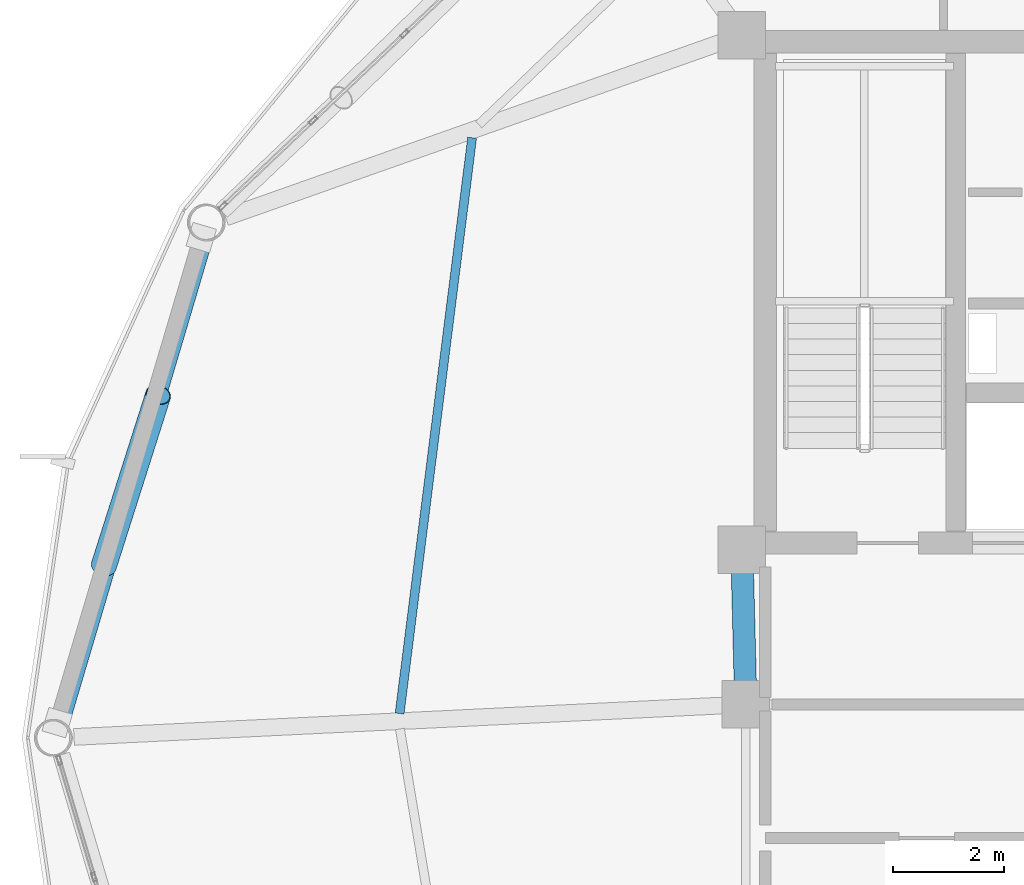
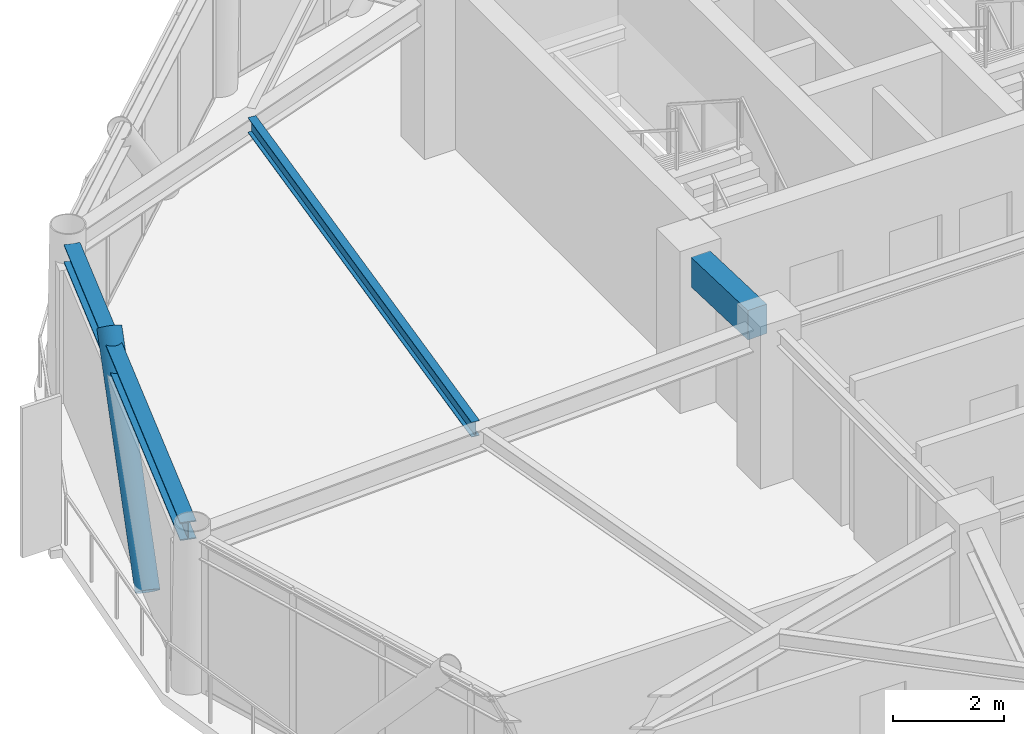
# One storey, part 12 of 28: 3 beams, 1 member.
"""IFC4 building model written with IfcOpenShell, lengths in metres."""

import ifcopenshell
import ifcopenshell.guid

model = None  # the IFC model being written
_history = None  # IfcOwnerHistory: only IFC2X3 demands one
_inside = {}  # id of a spatial element -> (the spatial element, [elements in it])
_under = {}  # id of a project, library or spatial element -> (it, [spatial elements below it])
_declared = {}  # id of a project -> (the project, [libraries it declares])
_typed = {}  # id of a type object -> (the type object, [elements of that type])
_made_of = {}  # id of a material, layer set ... -> (it, [elements and type objects made of it])


def new_model(schema):
    """Start an empty IFC model of exactly this schema.

    Asked for "IFC4X3", IfcOpenShell would pick the latest addendum, in which some entities
    have other attributes; the version numbers below select the first issue.
    IFC2X3 requires an IfcOwnerHistory on every rooted entity: one is made here for all.
    """
    global model, _history
    if schema == "IFC4X3":
        model = ifcopenshell.file(schema_version=(4, 3, 0, 0))
    else:
        model = ifcopenshell.file(schema=schema)
    _inside.clear()
    _under.clear()
    _declared.clear()
    _typed.clear()
    _made_of.clear()
    _history = None
    if model.schema == "IFC2X3":
        org = make("IfcOrganization", Name="unknown")
        user = make(
            "IfcPersonAndOrganization",
            ThePerson=make("IfcPerson", FamilyName="unknown"),
            TheOrganization=org,
        )
        app = make(
            "IfcApplication",
            ApplicationDeveloper=org,
            Version="unknown",
            ApplicationFullName="unknown",
            ApplicationIdentifier="unknown",
        )
        _history = make(
            "IfcOwnerHistory",
            OwningUser=user,
            OwningApplication=app,
            ChangeAction="ADDED",
            CreationDate=0,
        )
    return model


def make(cls, **values):
    """One entity of the class cls with the attributes given. An attribute that is None is left unset."""
    return model.create_entity(
        cls, **{name: value for name, value in values.items() if value is not None}
    )


def rooted(cls, **values):
    """An entity with a GlobalId (a new one), such as an element, a storey or a relation."""
    return make(cls, GlobalId=ifcopenshell.guid.new(), OwnerHistory=_history, **values)


def si_unit(unit_type, name, prefix=None):
    """IfcSIUnit, for example si_unit("LENGTHUNIT", "METRE", prefix="MILLI")."""
    return make("IfcSIUnit", UnitType=unit_type, Prefix=prefix, Name=name)


def assignment(units):
    """IfcUnitAssignment: the units of a project."""
    return None if units is None else make("IfcUnitAssignment", Units=units)


def point(xyz):
    """IfcCartesianPoint."""
    return None if xyz is None else make("IfcCartesianPoint", Coordinates=xyz)


def direction(xyz):
    """IfcDirection."""
    return None if xyz is None else make("IfcDirection", DirectionRatios=xyz)


def frame(location, z_axis=None, x_axis=None):
    """IfcAxis2Placement3D, a coordinate frame: its origin and axes. An axis left out is left unset."""
    return make(
        "IfcAxis2Placement3D",
        Location=point(location),
        Axis=direction(z_axis),
        RefDirection=direction(x_axis),
    )


def frame_2d(location, x_axis=None):
    """IfcAxis2Placement2D, a coordinate frame in the plane: its origin and x axis."""
    return make(
        "IfcAxis2Placement2D", Location=point(location), RefDirection=direction(x_axis)
    )


def origin():
    """The frame at (0, 0, 0) with its axes left unset."""
    return frame((0.0, 0.0, 0.0))


def origin_2d():
    """The frame at (0, 0) in the plane with its x axis left unset."""
    return frame_2d((0.0, 0.0))


def place(relative_to, where):
    """IfcLocalPlacement: puts the frame where relative to a parent placement (None: the world)."""
    return make(
        "IfcLocalPlacement", PlacementRelTo=relative_to, RelativePlacement=where
    )


def context(
    kind, dimensions, precision=None, world=None, true_north=None, identifier=None
):
    """IfcGeometricRepresentationContext, for example the 3D "Model" context."""
    return make(
        "IfcGeometricRepresentationContext",
        ContextIdentifier=identifier,
        ContextType=kind,
        CoordinateSpaceDimension=dimensions,
        Precision=precision,
        WorldCoordinateSystem=world,
        TrueNorth=true_north,
    )


def subcontext(parent, identifier, kind, view, scale=None):
    """IfcGeometricRepresentationSubContext, for example "Body" below "Model"."""
    return make(
        "IfcGeometricRepresentationSubContext",
        ContextIdentifier=identifier,
        ContextType=kind,
        ParentContext=parent,
        TargetScale=scale,
        TargetView=view,
    )


def project(units=None, contexts=None):
    """IfcProject with its units and contexts."""
    return rooted(
        "IfcProject",
        Name="project",
        RepresentationContexts=contexts,
        UnitsInContext=assignment(units),
    )


def spatial(cls, under=None, at=None, **own):
    """A site, building, storey or space (cls), placed at a placement, below another one or the project."""
    s = rooted(cls, ObjectPlacement=at, **own)
    if under is not None:
        _under.setdefault(under.id(), (under, []))[1].append(s)
    return s


def profile(cls, at=None, kind="AREA", **sizes):
    """A parametric profile (cls). Its sizes go by their IFC names, for example OverallWidth=200.0."""
    return make(cls, ProfileType=kind, Position=at, **sizes)


def rectangle(**sizes):
    """IfcRectangleProfileDef."""
    return profile("IfcRectangleProfileDef", **sizes)


def hollow_circle(**sizes):
    """IfcCircleHollowProfileDef."""
    return profile("IfcCircleHollowProfileDef", **sizes)


def i_section(**sizes):
    """IfcIShapeProfileDef."""
    return profile("IfcIShapeProfileDef", **sizes)


def extrude(swept, where, along, depth):
    """IfcExtrudedAreaSolid: the profile swept, set in the frame where, extruded along a direction by depth."""
    return make(
        "IfcExtrudedAreaSolid",
        SweptArea=swept,
        Position=where,
        ExtrudedDirection=direction(along),
        Depth=depth,
    )


def shape(context_of_items, identifier, shape_type, items):
    """IfcShapeRepresentation: the items that make up one representation, for example the "Body"."""
    return make(
        "IfcShapeRepresentation",
        ContextOfItems=context_of_items,
        RepresentationIdentifier=identifier,
        RepresentationType=shape_type,
        Items=items,
    )


def material(Name=None, Category=None):
    """IfcMaterial."""
    return make("IfcMaterial", Name=Name, Category=Category)


def material_profile(
    of_material, cross_section, Name=None, Category=None, Priority=None
):
    """IfcMaterialProfile: a cross section and its material."""
    return make(
        "IfcMaterialProfile",
        Name=Name,
        Material=of_material,
        Profile=cross_section,
        Priority=Priority,
        Category=Category,
    )


def profile_set(profiles, Name=None, composite=None):
    """IfcMaterialProfileSet."""
    return make(
        "IfcMaterialProfileSet",
        Name=Name,
        MaterialProfiles=profiles,
        CompositeProfile=composite,
    )


def made_of(thing, what):
    """Note that an element or type object is made of a material, layer set ...; save() writes the relation."""
    if what is not None:
        _made_of.setdefault(what.id(), (what, []))[1].append(thing)
    return thing


def type_object(cls, material=None, **own):
    """A type object (cls), such as IfcWallType, which elements share."""
    return made_of(rooted(cls, **own), material)


def element(
    cls,
    number,
    at=None,
    inside=None,
    cuts=None,
    type_object=None,
    material=None,
    context=None,
    identifier="Body",
    shape_type=None,
    held_by="IfcProductDefinitionShape",
    body=None,
    shapes=None,
    **own,
):
    """One element of the class cls, such as IfcWall. Its Tag is "e" and its number.

    at: its placement. inside: the storey or other place that contains it. cuts: it is an
    opening in that element (IfcRelVoidsElement). A single representation is given by context,
    identifier, shape_type and body (its items); several are given by shapes. held_by: the class
    of the entity that holds the representations. save() writes the other relations.
    """
    e = rooted(cls, Tag="e%d" % number, ObjectPlacement=at, **own)
    if body is not None:
        shapes = [shape(context, identifier, shape_type, body)]
    if shapes is not None:
        e.Representation = make(held_by, Representations=shapes)
    if inside is not None:
        _inside.setdefault(inside.id(), (inside, []))[1].append(e)
    if cuts is not None:
        rooted(
            "IfcRelVoidsElement", RelatingBuildingElement=cuts, RelatedOpeningElement=e
        )
    if type_object is not None:
        _typed.setdefault(type_object.id(), (type_object, []))[1].append(e)
    return made_of(e, material)


def aggregate(whole, parts):
    """IfcRelAggregates: a whole, such as a stair, and the parts it consists of."""
    return rooted("IfcRelAggregates", RelatingObject=whole, RelatedObjects=parts)


def save(model, path):
    """Write the relations noted so far, then the file.

    IfcRelAggregates (storeys below a building ...), IfcRelContainedInSpatialStructure (elements
    in a storey), IfcRelDefinesByType, IfcRelAssociatesMaterial and IfcRelDeclares: one each for
    every whole, place, type object, material and project.
    """
    for whole, parts in _under.values():
        aggregate(whole, parts)
    for where, things in _inside.values():
        rooted(
            "IfcRelContainedInSpatialStructure",
            RelatedElements=things,
            RelatingStructure=where,
        )
    for kind, things in _typed.values():
        rooted("IfcRelDefinesByType", RelatedObjects=things, RelatingType=kind)
    for what, things in _made_of.values():
        rooted("IfcRelAssociatesMaterial", RelatedObjects=things, RelatingMaterial=what)
    for by, libraries in _declared.values():
        rooted("IfcRelDeclares", RelatingContext=by, RelatedDefinitions=libraries)
    model.write(path)


model = new_model("IFC4")

# Units and contexts
model_context = context("Model", 3, precision=1e-05, world=origin(), true_north=direction((0.0, 1.0)))
body_context = subcontext(model_context, "Body", "Model", "MODEL_VIEW")
ifc_project = project(units=[si_unit("LENGTHUNIT", "METRE"), si_unit("AREAUNIT", "SQUARE_METRE"), si_unit("VOLUMEUNIT", "CUBIC_METRE"), si_unit("PLANEANGLEUNIT", "RADIAN"), si_unit("MASSUNIT", "GRAM", prefix="KILO")], contexts=[model_context])

# Site, building, storey
site_placement = place(None, origin())
site = spatial("IfcSite", under=ifc_project, at=site_placement, CompositionType="ELEMENT")
building_placement = place(site_placement, origin())
building = spatial("IfcBuilding", under=site, at=building_placement, Name="Varnakorn Sky Granary", CompositionType="ELEMENT")
storey_placement = place(building_placement, frame((0.0, 0.0, 186.0)))
storey = spatial("IfcBuildingStorey", under=building, at=storey_placement, Name="L46", CompositionType="ELEMENT", Elevation=186.0)

# Beams
ifc_material_1 = material(Name="Concrete C50/60", Category="concrete")
ifc_material_profile_1 = material_profile(ifc_material_1, rectangle(XDim=0.39990234375, YDim=0.64990234375, at=origin_2d()), Name="RC 400x650")
ifc_profile_set_1 = profile_set([ifc_material_profile_1], Name="Concrete C50/60")
beam_type_1 = type_object("IfcBeamType", Name="BM-LIN-650", PredefinedType="LINTEL", material=ifc_profile_set_1)
beam_1_placement = place(storey_placement, frame((-2.409912109375, 2.97509765625, 3.034912109375), z_axis=(0.025270737467, -0.99968064392, 0.0), x_axis=(0.99968064392, 0.025270737467, 0.0)))
element("IfcBeam", 1, at=beam_1_placement, inside=storey, type_object=beam_type_1, Name="Core Spine Framing Beam 1 L46", PredefinedType="LINTEL", context=body_context, shape_type="SweptSolid", body=[
    extrude(rectangle(XDim=0.39990234375, YDim=0.64990234375, at=origin_2d()), origin(), (0.0, 0.0, 1.0), 1.970947265625),
])
ifc_material_2 = material(Name="Steel S355JR", Category="steel")
ifc_material_profile_2 = material_profile(ifc_material_2, i_section(OverallWidth=0.159912109375, OverallDepth=0.330078125, WebThickness=0.007568359375, FlangeThickness=0.011474609375, at=origin_2d()), Name="IPE 330")
ifc_profile_set_2 = profile_set([ifc_material_profile_2], Name="Steel S355JR")
beam_type_2 = type_object("IfcBeamType", Name="BM-SEC-Z4", PredefinedType="BEAM", material=ifc_profile_set_2)
beam_2_placement = place(storey_placement, frame((-7.264404296875, 10.776123046875, 3.195068359375), z_axis=(-0.124986198182, -0.992158480417, 0.0), x_axis=(0.992158480417, -0.124986198182, 0.0)))
element("IfcBeam", 2, at=beam_2_placement, inside=storey, type_object=beam_type_2, Name="Secondary Floor Chord Beam MSB06 L46", PredefinedType="BEAM", context=body_context, shape_type="SweptSolid", body=[
    extrude(i_section(OverallWidth=0.159912109375, OverallDepth=0.330078125, WebThickness=0.007568359375, FlangeThickness=0.011474609375, at=origin_2d()), origin(), (0.0, 0.0, 1.0), 10.421142578125),
])
ifc_material_profile_3 = material_profile(ifc_material_2, i_section(OverallWidth=0.300048828125, OverallDepth=0.39990234375, WebThickness=0.013427734375, FlangeThickness=0.02392578125, at=origin_2d()), Name="HE 400 B")
ifc_profile_set_3 = profile_set([ifc_material_profile_3], Name="Steel S355JR")
beam_type_3 = type_object("IfcBeamType", Name="BM-SPD-Z4", PredefinedType="SPANDREL", material=ifc_profile_set_3)
beam_3_placement = place(storey_placement, frame((-12.07861328125, 8.93798828125, 3.159912109375), z_axis=(-0.284290421761, -0.958738210407, 0.0), x_axis=(0.958738210407, -0.284290421761, 0.0)))
element("IfcBeam", 3, at=beam_3_placement, inside=storey, type_object=beam_type_3, Name="Perimeter Spandrel Ring Beam RB06 L46", PredefinedType="SPANDREL", context=body_context, shape_type="SweptSolid", body=[
    extrude(i_section(OverallWidth=0.300048828125, OverallDepth=0.39990234375, WebThickness=0.013427734375, FlangeThickness=0.02392578125, at=origin_2d()), origin(), (0.0, 0.0, 1.0), 9.007568359375),
])

# Member
ifc_material_3 = material(Name="Steel S460M", Category="steel")
ifc_material_profile_4 = material_profile(ifc_material_3, hollow_circle(Radius=0.228515625, WallThickness=0.01611328125, at=origin_2d()), Name="CHS 457x16")
ifc_profile_set_4 = profile_set([ifc_material_profile_4], Name="Steel S460M")
member_type = type_object("IfcMemberType", Name="MB-DIAG-T3", PredefinedType="BRACE", material=ifc_profile_set_4)
member_placement = place(storey_placement, frame((-13.880615234375, 3.08544921875, -0.1298828125), z_axis=(0.20174698493, 0.63404037465, 0.74651922774), x_axis=(-0.952922798565, 0.303213027384, 0.0)))
element("IfcMember", 4, at=member_placement, inside=storey, type_object=member_type, Name="Perimeter CHS Diagrid Brace DG06 L46", PredefinedType="BRACE", context=body_context, shape_type="SweptSolid", body=[
    extrude(hollow_circle(Radius=0.228515625, WallThickness=0.01611328125, at=origin_2d()), origin(), (0.0, 0.0, 1.0), 4.84912109375),
])

save(model, "model.ifc")
